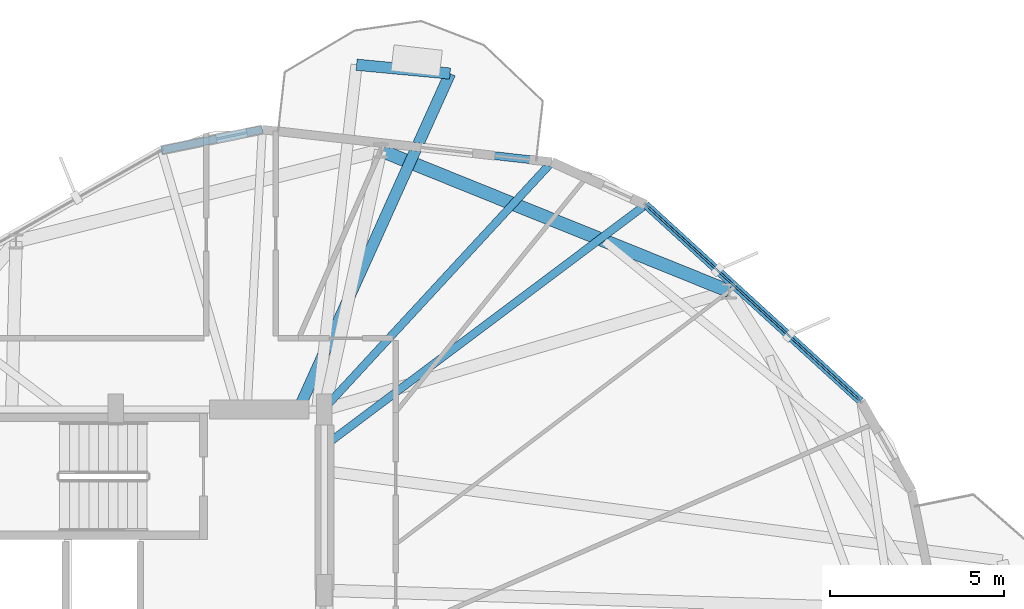
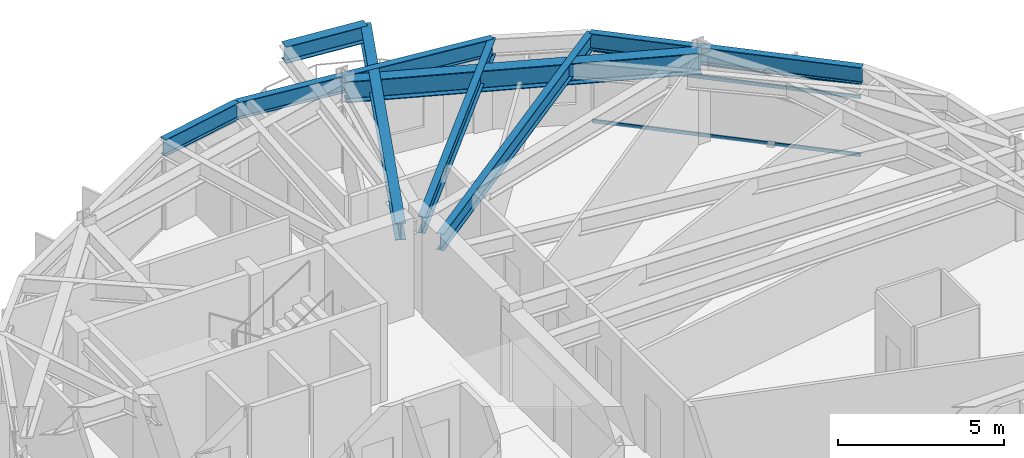
# One storey, part 14 of 22: 8 beams, 3 members, 1 element without a shape of its own.
"""IFC4 building model written with IfcOpenShell, lengths in metres."""

from ifc_helpers import new_model, si_unit, direction, frame, origin, origin_2d, place, context, subcontext, project, spatial, hollow_rectangle, i_section, extrude, material, layer, layer_set, material_profile, profile_set, type_object, element, aggregate, save


model = new_model("IFC4")

# Units and contexts
model_context = context("Model", 3, precision=1e-05, world=origin(), true_north=direction((0.0, 1.0)))
body_context = subcontext(model_context, "Body", "Model", "MODEL_VIEW")
ifc_project = project(units=[si_unit("LENGTHUNIT", "METRE"), si_unit("AREAUNIT", "SQUARE_METRE"), si_unit("VOLUMEUNIT", "CUBIC_METRE"), si_unit("PLANEANGLEUNIT", "RADIAN"), si_unit("MASSUNIT", "GRAM", prefix="KILO")], contexts=[model_context])

# Site, building, storey
site_placement = place(None, origin())
site = spatial("IfcSite", under=ifc_project, at=site_placement, CompositionType="ELEMENT")
building_placement = place(site_placement, origin())
building = spatial("IfcBuilding", under=site, at=building_placement, Name="Soratama Intermodal Tower", CompositionType="ELEMENT")
storey_placement = place(building_placement, frame((0.0, 0.0, 142.60009765625)))
storey = spatial("IfcBuildingStorey", under=building, at=storey_placement, Name="L34", CompositionType="ELEMENT", Elevation=142.60009765625)

# Beams
ifc_material_1 = material(Name="Structural steel ASTM A992 Grade 50", Category="steel")
ifc_material_profile_1 = material_profile(ifc_material_1, i_section(OverallWidth=0.324951171875, OverallDepth=0.615966796875, WebThickness=0.013916015625, FlangeThickness=0.021484375, FilletRadius=0.013916015625, at=origin_2d()), Name="W24X117")
ifc_profile_set_1 = profile_set([ifc_material_profile_1], Name="Structural steel ASTM A992 Grade 50")
beam_type_1 = type_object("IfcBeamType", Name="BM-CANT-W24X117", PredefinedType="BEAM", material=ifc_profile_set_1)
beam_1_placement = place(storey_placement, frame((48.216064453125, 44.6689453125, 2.991943359375), z_axis=(-0.995567060499, 0.094054388781, 0.0), x_axis=(-0.094054388781, -0.995567060499, 0.0)))
element("IfcBeam", 1, at=beam_1_placement, inside=storey, type_object=beam_type_1, Name="BM-L34-CBHDR-2", PredefinedType="BEAM", context=body_context, shape_type="SweptSolid", body=[
    extrude(i_section(OverallWidth=0.324951171875, OverallDepth=0.615966796875, WebThickness=0.013916015625, FlangeThickness=0.021484375, FilletRadius=0.013916015625, at=origin_2d()), origin(), (0.0, 0.0, 1.0), 2.7021484375),
])
beam_2_placement = place(storey_placement, frame((43.8701171875, 35.035888671875, 2.991943359375), z_axis=(0.411235731735, 0.911529030226, 0.0), x_axis=(-0.911529030226, 0.411235731735, 0.0)))
element("IfcBeam", 2, at=beam_2_placement, inside=storey, type_object=beam_type_1, Name="BM-L34-CANT-2-1", PredefinedType="BEAM", context=body_context, shape_type="SweptSolid", body=[
    extrude(i_section(OverallWidth=0.324951171875, OverallDepth=0.615966796875, WebThickness=0.013916015625, FlangeThickness=0.021484375, FilletRadius=0.013916015625, at=origin_2d()), origin(), (0.0, 0.0, 1.0), 10.568115234375),
])
ifc_material_2 = material(Name="Structural steel ASTM A992 Grade 50", Category="steel")
ifc_material_profile_2 = material_profile(ifc_material_2, i_section(OverallWidth=0.382080078125, OverallDepth=0.779052734375, WebThickness=0.01806640625, FlangeThickness=0.030029296875, FilletRadius=0.01806640625, at=origin_2d()), Name="W30X191")
ifc_profile_set_2 = profile_set([ifc_material_profile_2], Name="Structural steel ASTM A992 Grade 50")
beam_type_2 = type_object("IfcBeamType", Name="BM-RING-W30X191", PredefinedType="BEAM", material=ifc_profile_set_2)
beam_3_placement = place(storey_placement, frame((56.2490234375, 38.406005859375, 2.910400390625), z_axis=(-0.927202491827, 0.374560461275, 0.0), x_axis=(-0.374560461275, -0.927202491827, 0.0)))
element("IfcBeam", 3, at=beam_3_placement, inside=storey, type_object=beam_type_2, Name="BM-L34-RING-02", PredefinedType="BEAM", context=body_context, shape_type="SweptSolid", body=[
    extrude(i_section(OverallWidth=0.382080078125, OverallDepth=0.779052734375, WebThickness=0.01806640625, FlangeThickness=0.030029296875, FilletRadius=0.01806640625, at=origin_2d()), origin(), (0.0, 0.0, 1.0), 10.8154296875),
])
ifc_material_3 = material(Name="Structural steel ASTM A992 Grade 50", Category="steel")
ifc_material_profile_3 = material_profile(ifc_material_3, i_section(OverallWidth=0.22900390625, OverallDepth=0.612060546875, WebThickness=0.011962890625, FlangeThickness=0.01953125, FilletRadius=0.012939453125, at=origin_2d()), Name="W24X84")
ifc_profile_set_3 = profile_set([ifc_material_profile_3], Name="Structural steel ASTM A992 Grade 50")
beam_type_3 = type_object("IfcBeamType", Name="BM-SPN-W24X84", PredefinedType="SPANDREL", material=ifc_profile_set_3)
beam_4_placement = place(storey_placement, frame((60.034912109375, 35.239013671875, 2.993896484375), z_axis=(-0.738175880274, 0.674608308414, 0.0), x_axis=(-0.674608308414, -0.738175880274, 0.0)))
element("IfcBeam", 4, at=beam_4_placement, inside=storey, type_object=beam_type_3, Name="BS-L34-F01", PredefinedType="SPANDREL", context=body_context, shape_type="SweptSolid", body=[
    extrude(i_section(OverallWidth=0.22900390625, OverallDepth=0.612060546875, WebThickness=0.011962890625, FlangeThickness=0.01953125, FilletRadius=0.012939453125, at=origin_2d()), origin(), (0.0, 0.0, 1.0), 8.384033203125),
])
beam_5_placement = place(storey_placement, frame((51.14501953125, 42.12109375, 2.993896484375), z_axis=(-0.993721445063, 0.111882481301, 0.0), x_axis=(-0.111882481301, -0.993721445063, 0.0)))
element("IfcBeam", 5, at=beam_5_placement, inside=storey, type_object=beam_type_3, Name="BS-L34-F02", PredefinedType="SPANDREL", context=body_context, shape_type="SweptSolid", body=[
    extrude(i_section(OverallWidth=0.22900390625, OverallDepth=0.612060546875, WebThickness=0.011962890625, FlangeThickness=0.01953125, FilletRadius=0.012939453125, at=origin_2d()), origin(), (0.0, 0.0, 1.0), 8.3837890625),
])
beam_6_placement = place(storey_placement, frame((42.81396484375, 43.05908203125, 2.993896484375), z_axis=(-0.97959688483, -0.20097249372, 0.0), x_axis=(0.20097249372, -0.97959688483, 0.0)))
element("IfcBeam", 6, at=beam_6_placement, inside=storey, type_object=beam_type_3, Name="BS-L34-CRN02", PredefinedType="SPANDREL", context=body_context, shape_type="SweptSolid", body=[
    extrude(i_section(OverallWidth=0.22900390625, OverallDepth=0.612060546875, WebThickness=0.011962890625, FlangeThickness=0.01953125, FilletRadius=0.012939453125, at=origin_2d()), origin(), (0.0, 0.0, 1.0), 2.966552734375),
])
ifc_material_4 = material(Name="Structural steel ASTM A992 Grade 50", Category="steel")
ifc_material_profile_4 = material_profile(ifc_material_4, i_section(OverallWidth=0.22900390625, OverallDepth=0.612060546875, WebThickness=0.011962890625, FlangeThickness=0.01953125, FilletRadius=0.012939453125, at=origin_2d()), Name="W24X84")
ifc_profile_set_4 = profile_set([ifc_material_profile_4], Name="Structural steel ASTM A992 Grade 50")
beam_type_4 = type_object("IfcBeamType", Name="BM-TIE-W24X84", PredefinedType="BEAM", material=ifc_profile_set_4)
beam_7_placement = place(storey_placement, frame((44.632080078125, 33.97607421875, 2.993896484375), z_axis=(0.799643896905, 0.600474510818, 0.0), x_axis=(-0.600474510818, 0.799643896905, 0.0)))
element("IfcBeam", 7, at=beam_7_placement, inside=storey, type_object=beam_type_4, Name="BM-L34-TIE1-01", PredefinedType="BEAM", context=body_context, shape_type="SweptSolid", body=[
    extrude(i_section(OverallWidth=0.22900390625, OverallDepth=0.612060546875, WebThickness=0.011962890625, FlangeThickness=0.01953125, FilletRadius=0.012939453125, at=origin_2d()), origin(), (0.0, 0.0, 1.0), 11.5224609375),
])
beam_8_placement = place(storey_placement, frame((44.591064453125, 35.029052734375, 2.993896484375), z_axis=(0.67869686484, 0.734418522136, 0.0), x_axis=(-0.734418522136, 0.67869686484, 0.0)))
element("IfcBeam", 8, at=beam_8_placement, inside=storey, type_object=beam_type_4, Name="BM-L34-TIE0-02", PredefinedType="BEAM", context=body_context, shape_type="SweptSolid", body=[
    extrude(i_section(OverallWidth=0.22900390625, OverallDepth=0.612060546875, WebThickness=0.011962890625, FlangeThickness=0.01953125, FilletRadius=0.012939453125, at=origin_2d()), origin(), (0.0, 0.0, 1.0), 9.65673828125),
])

# Curtain wall, members
ifc_material_5 = material(Name="Double-glazed aluminium curtain wall", Category="aluminium")
ifc_layer = layer(ifc_material_5, 0.159912109375)
ifc_layer_set = layer_set([ifc_layer], Name="Double-glazed aluminium curtain wall")
curtain_wall_type = type_object("IfcCurtainWallType", Name="CW-SYS-4", PredefinedType="NOTDEFINED", material=ifc_layer_set)
curtain_wall_placement = place(storey_placement, origin())
curtain_wall = element("IfcCurtainWall", 9, at=curtain_wall_placement, inside=storey, type_object=curtain_wall_type, Name="L34 Faceted Curtain Wall F01", PredefinedType="NOTDEFINED")
ifc_material_6 = material(Name="Anodised aluminium AA 6063-T6", Category="aluminium")
ifc_material_profile_5 = material_profile(ifc_material_6, hollow_rectangle(XDim=0.06005859375, YDim=0.1298828125, WallThickness=0.0048828125, InnerFilletRadius=0.0048828125, OuterFilletRadius=0.010009765625, at=origin_2d()), Name="CWT130X60X5")
ifc_profile_set_5 = profile_set([ifc_material_profile_5], Name="Anodised aluminium AA 6063-T6")
member_type = type_object("IfcMemberType", Name="TT-CWT-2", PredefinedType="USERDEFINED", material=ifc_profile_set_5)
member_1_placement = place(storey_placement, frame((59.990234375, 35.280029296875, 0.02978515625), z_axis=(-0.738210390225, 0.67457054469, 0.0), x_axis=(-0.67457054469, -0.738210390225, 0.0)))
member_1 = element("IfcMember", 10, at=member_1_placement, type_object=member_type, Name="CW-4 transom 1.1", ObjectType="TRANSOM", PredefinedType="USERDEFINED", context=body_context, shape_type="SweptSolid", body=[
    extrude(hollow_rectangle(XDim=0.06005859375, YDim=0.1298828125, WallThickness=0.0048828125, InnerFilletRadius=0.0048828125, OuterFilletRadius=0.010009765625, at=origin_2d()), origin(), (0.0, 0.0, 1.0), 8.263427734375),
])
member_2_placement = place(storey_placement, frame((59.990234375, 35.280029296875, 2.14990234375), z_axis=(-0.738210390225, 0.67457054469, 0.0), x_axis=(-0.67457054469, -0.738210390225, 0.0)))
member_2 = element("IfcMember", 11, at=member_2_placement, type_object=member_type, Name="CW-4 transom 1.2", ObjectType="TRANSOM", PredefinedType="USERDEFINED", context=body_context, shape_type="SweptSolid", body=[
    extrude(hollow_rectangle(XDim=0.06005859375, YDim=0.1298828125, WallThickness=0.0048828125, InnerFilletRadius=0.0048828125, OuterFilletRadius=0.010009765625, at=origin_2d()), origin(), (0.0, 0.0, 1.0), 8.263427734375),
])
member_3_placement = place(storey_placement, frame((59.990234375, 35.280029296875, 2.64892578125), z_axis=(-0.738210390225, 0.67457054469, 0.0), x_axis=(-0.67457054469, -0.738210390225, 0.0)))
member_3 = element("IfcMember", 12, at=member_3_placement, type_object=member_type, Name="CW-4 transom 1.3", ObjectType="TRANSOM", PredefinedType="USERDEFINED", context=body_context, shape_type="SweptSolid", body=[
    extrude(hollow_rectangle(XDim=0.06005859375, YDim=0.1298828125, WallThickness=0.0048828125, InnerFilletRadius=0.0048828125, OuterFilletRadius=0.010009765625, at=origin_2d()), origin(), (0.0, 0.0, 1.0), 8.263427734375),
])
aggregate(curtain_wall, [member_1, member_2, member_3])

save(model, "model.ifc")
